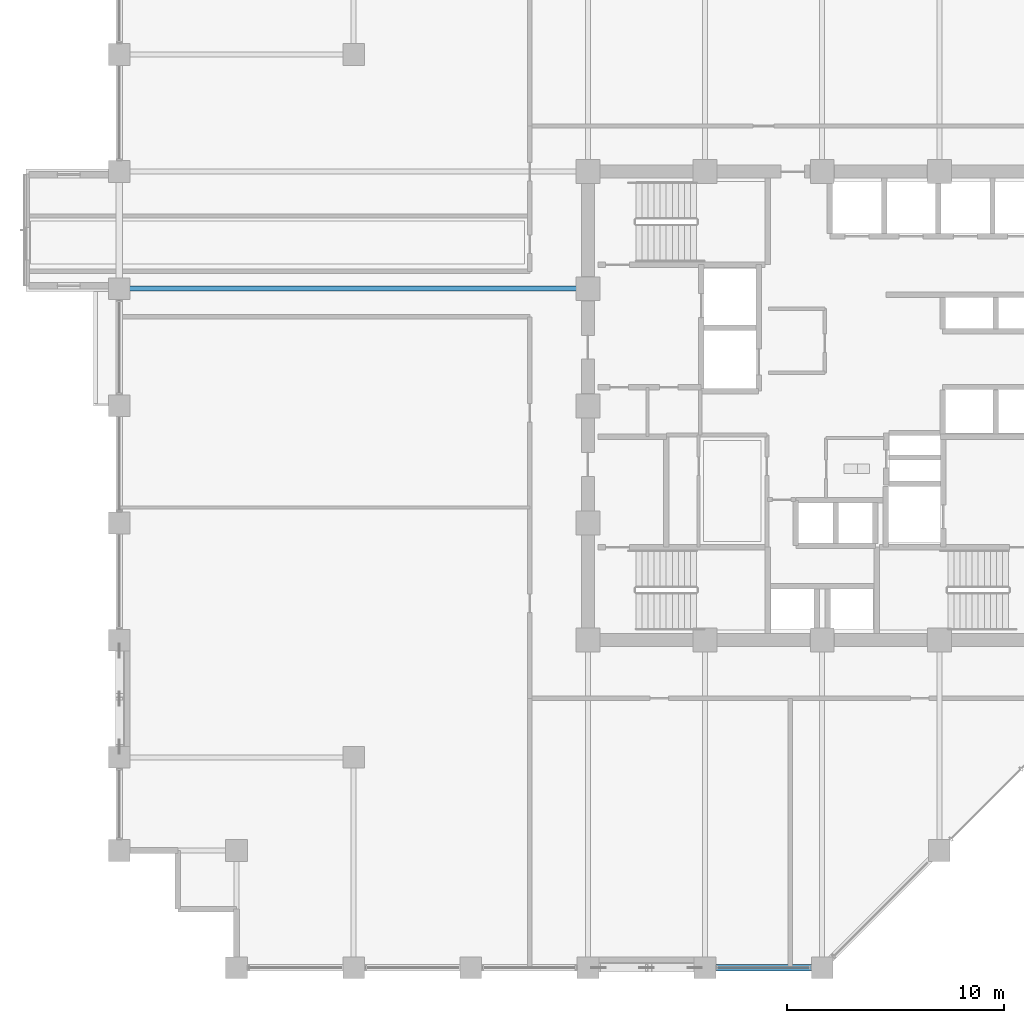
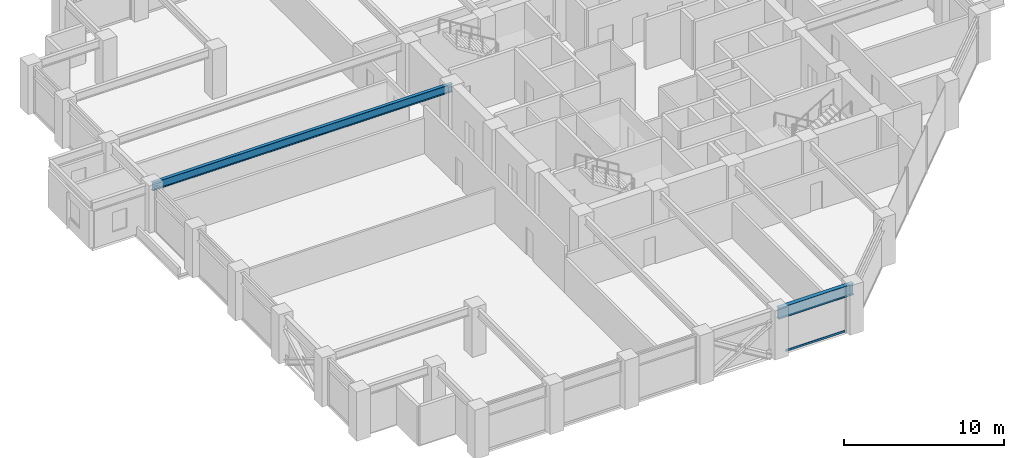
# One storey, part 6 of 29: 2 beams, 1 member, 1 element without a shape of its own.
"""IFC4 building model written with IfcOpenShell, lengths in metres."""

from ifc_helpers import new_model, si_unit, direction, frame, origin, origin_2d, place, context, subcontext, project, spatial, hollow_rectangle, i_section, extrude, material, layer, layer_set, material_profile, profile_set, type_object, element, aggregate, save


model = new_model("IFC4")

# Units and contexts
model_context = context("Model", 3, precision=1e-05, world=origin(), true_north=direction((0.0, 1.0)))
body_context = subcontext(model_context, "Body", "Model", "MODEL_VIEW")
ifc_project = project(units=[si_unit("LENGTHUNIT", "METRE"), si_unit("AREAUNIT", "SQUARE_METRE"), si_unit("VOLUMEUNIT", "CUBIC_METRE"), si_unit("PLANEANGLEUNIT", "RADIAN"), si_unit("MASSUNIT", "GRAM", prefix="KILO")], contexts=[model_context])

# Site, building, storey
site_placement = place(None, origin())
site = spatial("IfcSite", under=ifc_project, at=site_placement, CompositionType="ELEMENT")
building_placement = place(site_placement, origin())
building = spatial("IfcBuilding", under=site, at=building_placement, Name="Surkhivell Harbour Commons", CompositionType="ELEMENT")
storey_placement = place(building_placement, frame((0.0, 0.0, 150.75)))
storey = spatial("IfcBuildingStorey", under=building, at=storey_placement, Name="L39", CompositionType="ELEMENT", Elevation=150.75)

# Beams
ifc_material_1 = material(Name="Steel S355", Category="steel")
ifc_material_profile_1 = material_profile(ifc_material_1, i_section(OverallWidth=0.22998046875, OverallDepth=0.616943359375, WebThickness=0.01318359375, FlangeThickness=0.022216796875, at=origin_2d()), Name="UB610x229x140")
ifc_profile_set_1 = profile_set([ifc_material_profile_1], Name="Steel S355")
beam_type_1 = type_object("IfcBeamType", Name="BM-GRD-610B", PredefinedType="BEAM", material=ifc_profile_set_1)
beam_1_placement = place(storey_placement, frame((-32.39990234375, 5.39990234375, 3.261474609375), z_axis=(1.0, 0.0, 0.0), x_axis=(0.0, 1.0, 0.0)))
element("IfcBeam", 1, at=beam_1_placement, inside=storey, type_object=beam_type_1, Name="L39 Cantilever Back-Span Girder (-32.4,5.4)", PredefinedType="BEAM", context=body_context, shape_type="SweptSolid", body=[
    extrude(i_section(OverallWidth=0.22998046875, OverallDepth=0.616943359375, WebThickness=0.01318359375, FlangeThickness=0.022216796875, at=origin_2d()), origin(), (0.0, 0.0, 1.0), 21.599853515625),
])
ifc_material_2 = material(Name="Steel S460", Category="steel")
ifc_material_profile_2 = material_profile(ifc_material_2, i_section(OverallWidth=0.2939453125, OverallDepth=0.85107421875, WebThickness=0.01611328125, FlangeThickness=0.02685546875, at=origin_2d()), Name="UB838x292x226")
ifc_profile_set_2 = profile_set([ifc_material_profile_2], Name="Steel S460")
beam_type_2 = type_object("IfcBeamType", Name="BM-SPN-838", PredefinedType="SPANDREL", material=ifc_profile_set_2)
beam_2_placement = place(storey_placement, frame((-5.39990234375, -25.89990234375, 3.14453125), z_axis=(1.0, 0.0, 0.0), x_axis=(0.0, 1.0, 0.0)))
element("IfcBeam", 2, at=beam_2_placement, inside=storey, type_object=beam_type_2, Name="L39 Tube Spandrel (-5.4,-25.9)", PredefinedType="SPANDREL", context=body_context, shape_type="SweptSolid", body=[
    extrude(i_section(OverallWidth=0.2939453125, OverallDepth=0.85107421875, WebThickness=0.01611328125, FlangeThickness=0.02685546875, at=origin_2d()), origin(), (0.0, 0.0, 1.0), 5.39990234375),
])

# Curtain wall, member
ifc_material_3 = material(Name="Anodised pale-metal aluminium and insulated glazing", Category="aluminium")
ifc_layer = layer(ifc_material_3, 0.205078125)
ifc_layer_set = layer_set([ifc_layer], Name="Anodised pale-metal aluminium and insulated glazing")
curtain_wall_type = type_object("IfcCurtainWallType", Name="CW-SYS-Z2", PredefinedType="NOTDEFINED", material=ifc_layer_set)
curtain_wall_placement = place(storey_placement, origin())
curtain_wall = element("IfcCurtainWall", 3, at=curtain_wall_placement, inside=storey, type_object=curtain_wall_type, Name="L39 Curtain Wall CW-L39-E00S2", PredefinedType="NOTDEFINED")
ifc_material_4 = material(Name="Anodised pale-metal aluminium alloy 6063-T6", Category="aluminium")
ifc_material_profile_3 = material_profile(ifc_material_4, hollow_rectangle(XDim=0.074951171875, YDim=0.14990234375, WallThickness=0.00341796875, at=origin_2d()), Name="ALU-TRAN-75x150")
ifc_profile_set_3 = profile_set([ifc_material_profile_3], Name="Anodised pale-metal aluminium alloy 6063-T6")
member_type = type_object("IfcMemberType", Name="CWT-150", PredefinedType="USERDEFINED", material=ifc_profile_set_3)
member_placement = place(storey_placement, frame((-4.822998046875, -25.89990234375, 0.074951171875), z_axis=(1.0, 0.0, 0.0), x_axis=(0.0, 1.0, 0.0)))
member = element("IfcMember", 4, at=member_placement, type_object=member_type, Name="CW-Z2 transom 1.1", ObjectType="TRANSOM", PredefinedType="USERDEFINED", context=body_context, shape_type="SweptSolid", body=[
    extrude(hollow_rectangle(XDim=0.074951171875, YDim=0.14990234375, WallThickness=0.00341796875, at=origin_2d()), origin(), (0.0, 0.0, 1.0), 4.24609375),
])
aggregate(curtain_wall, [member])

save(model, "model.ifc")
